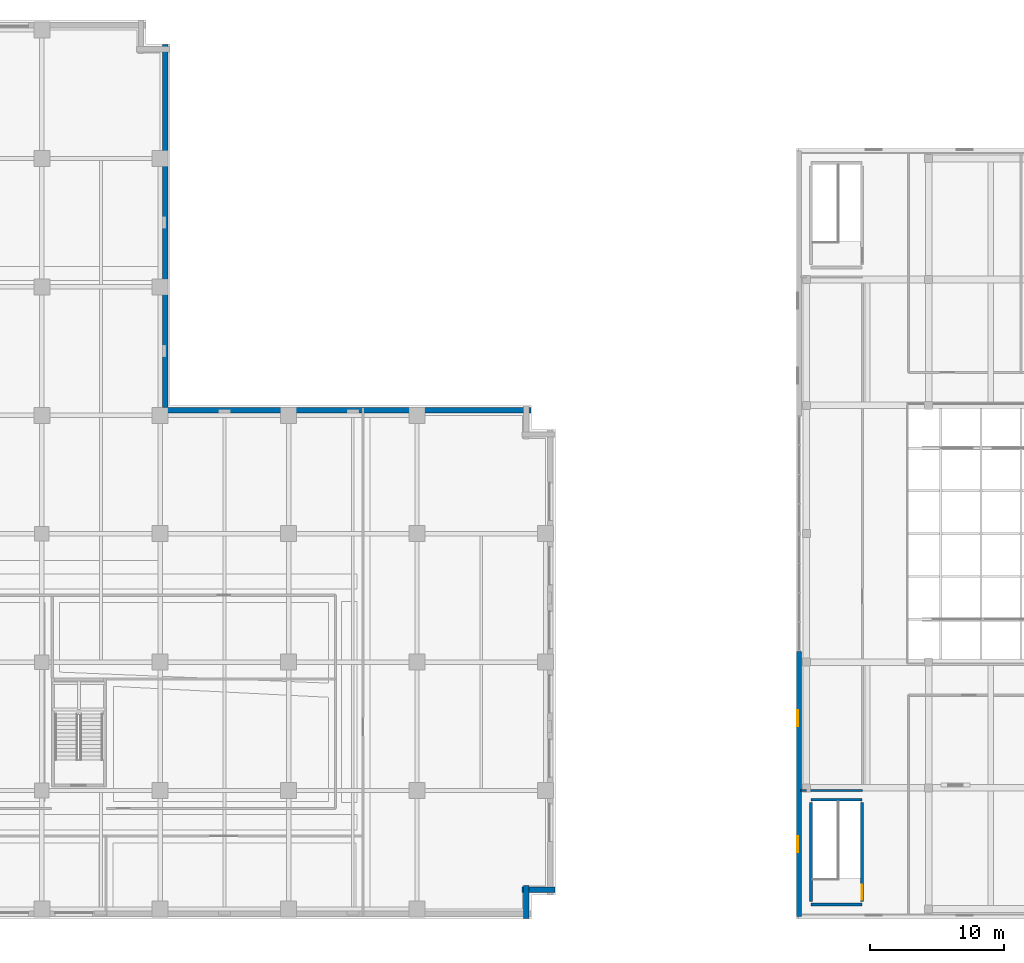
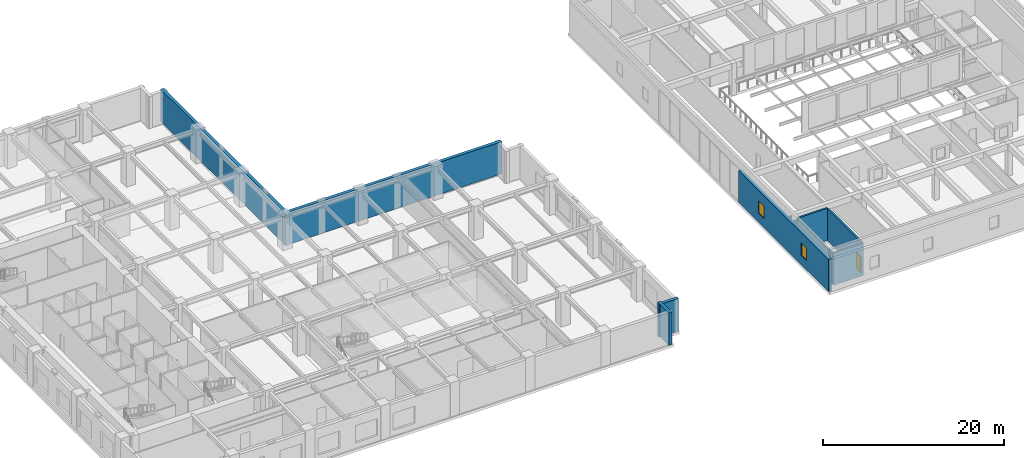
# One storey, part 8 of 21: 11 walls, 2 windows, 1 door, 3 openings.
"""IFC4 building model written with IfcOpenShell, lengths in metres."""

from ifc_helpers import new_model, si_unit, direction, frame, frame_2d, origin, place, context, subcontext, project, spatial, rectangle, extrude, material, layer, layer_set, type_object, element, fill, save


model = new_model("IFC4")

# Units and contexts
model_context = context("Model", 3, precision=1e-05, world=origin(), true_north=direction((0.0, 1.0)))
body_context = subcontext(model_context, "Body", "Model", "MODEL_VIEW")
ifc_project = project(units=[si_unit("LENGTHUNIT", "METRE"), si_unit("AREAUNIT", "SQUARE_METRE"), si_unit("VOLUMEUNIT", "CUBIC_METRE"), si_unit("PLANEANGLEUNIT", "RADIAN"), si_unit("MASSUNIT", "GRAM", prefix="KILO")], contexts=[model_context])

# Site, building, storey
site_placement = place(None, origin())
site = spatial("IfcSite", under=ifc_project, at=site_placement, CompositionType="ELEMENT")
building_placement = place(site_placement, origin())
building = spatial("IfcBuilding", under=site, at=building_placement, Name="Norrvale University Quadrangle", CompositionType="ELEMENT")
storey_placement = place(building_placement, frame((0.0, 0.0, 19.60009765625)))
storey = spatial("IfcBuildingStorey", under=building, at=storey_placement, Name="L04", CompositionType="ELEMENT", Elevation=19.60009765625)

# Walls
ifc_material_1 = material(Name="Standard Academic Gypsum Partition")
ifc_layer_1 = layer(ifc_material_1, 0.125, Name="Standard Academic Gypsum Partition")
ifc_layer_set_1 = layer_set([ifc_layer_1], Name="Standard Academic Gypsum Partition")
wall_type_1 = type_object("IfcWallType", Name="Wall Gypsum Academic 125", PredefinedType="PARTITIONING", material=ifc_layer_set_1)
wall_1_placement = place(storey_placement, frame((85.550048828125, 9.60009765625, 0.0), z_axis=(0.0, 0.0, 1.0), x_axis=(1.0, 0.0, 0.0)))
element("IfcWall", 1, at=wall_1_placement, inside=storey, type_object=wall_type_1, Name="Interior Partition WL-L04-LWS", PredefinedType="PARTITIONING", context=body_context, shape_type="SweptSolid", body=[
    extrude(rectangle(XDim=0.39990234375, YDim=0.125, at=frame_2d((0.199951171875, 0.0))), origin(), (0.0, 0.0, 1.0), 4.31982421875),
])
wall_2_placement = place(storey_placement, frame((85.949951171875, 9.60009765625, 0.0), z_axis=(0.0, 0.0, 1.0), x_axis=(1.0, 0.0, 0.0)))
element("IfcWall", 2, at=wall_2_placement, inside=storey, type_object=wall_type_1, Name="Interior Partition WL-L04-LWS-B2", PredefinedType="PARTITIONING", context=body_context, shape_type="SweptSolid", body=[
    extrude(rectangle(XDim=4.199951171875, YDim=0.125, at=frame_2d((2.10009765625, 0.0))), origin(), (0.0, 0.0, 1.0), 3.52001953125),
])

# Wall, openings, windows
ifc_material_2 = material(Name="Buff Norman Clay Brick Masonry", Category="masonry")
ifc_layer_2 = layer(ifc_material_2, 0.3798828125, Name="Buff Norman Clay Brick Masonry")
ifc_layer_set_2 = layer_set([ifc_layer_2], Name="Buff Norman Clay Brick Masonry")
wall_type_2 = type_object("IfcWallType", Name="Wall Lib Brick 380", PredefinedType="SOLIDWALL", material=ifc_layer_set_2)
wall_3_placement = place(storey_placement, frame((85.389892578125, 0.18994140625, 0.0), z_axis=(0.0, 0.0, 1.0), x_axis=(0.0, 1.0, 0.0)))
wall_3 = element("IfcWall", 3, at=wall_3_placement, inside=storey, type_object=wall_type_2, Name="Library West Brick Wall South L04", PredefinedType="SOLIDWALL", context=body_context, shape_type="SweptSolid", body=[
    extrude(rectangle(XDim=19.81005859375, YDim=0.3798828125, at=frame_2d((9.905029296875, 0.0))), origin(), (0.0, 0.0, 1.0), 4.31982421875),
])
opening_1_placement = place(wall_3_placement, frame((4.800048828125, 0.0, 1.25)))
opening_1 = element("IfcOpeningElement", 4, at=opening_1_placement, cuts=wall_3, Name="Opening W07", PredefinedType="OPENING", context=body_context, shape_type="SweptSolid", body=[
    extrude(rectangle(XDim=1.199951171875, YDim=1.64990234375, at=frame_2d((0.60009765625, 0.824951171875))), frame((0.0, 0.201904296875, 0.0), z_axis=(0.0, -1.0, 0.0), x_axis=(1.0, 0.0, 0.0)), (0.0, 0.0, 1.0), 0.40380859375),
])
opening_2_placement = place(wall_3_placement, frame((14.199951171875, 0.0, 1.25)))
opening_2 = element("IfcOpeningElement", 5, at=opening_2_placement, cuts=wall_3, Name="Opening W07", PredefinedType="OPENING", context=body_context, shape_type="SweptSolid", body=[
    extrude(rectangle(XDim=1.199951171875, YDim=1.64990234375, at=frame_2d((0.60009765625, 0.824951171875))), frame((0.0, 0.201904296875, 0.0), z_axis=(0.0, -1.0, 0.0), x_axis=(1.0, 0.0, 0.0)), (0.0, 0.0, 1.0), 0.40380859375),
])
ifc_material_3 = material(Name="UV-Filtered Triple Glazing", Category="glass")
window_type = type_object("IfcWindowType", Name="Window Library Stack 1200x1800", PartitioningType="SINGLE_PANEL", PredefinedType="WINDOW", material=ifc_material_3)
window_1_placement = place(opening_1_placement, origin())
window_1 = element("IfcWindow", 6, at=window_1_placement, inside=storey, type_object=window_type, Name="Window Library Stack 1200x1800 WIN-L04-LW1-1", OverallHeight=1.64990234375, OverallWidth=1.199951171875, PartitioningType="SINGLE_PANEL", PredefinedType="WINDOW", context=body_context, shape_type="SweptSolid", body=[
    extrude(rectangle(XDim=1.199951171875, YDim=1.64990234375, at=frame_2d((0.60009765625, 0.824951171875))), frame((0.0, 0.110107421875, 0.0), z_axis=(0.0, -1.0, 0.0), x_axis=(1.0, 0.0, 0.0)), (0.0, 0.0, 1.0), 0.06005859375),
])
fill(opening_1, window_1)
window_2_placement = place(opening_2_placement, origin())
window_2 = element("IfcWindow", 7, at=window_2_placement, inside=storey, type_object=window_type, Name="Window Library Stack 1200x1800 WIN-L04-LW1-2", OverallHeight=1.64990234375, OverallWidth=1.199951171875, PartitioningType="SINGLE_PANEL", PredefinedType="WINDOW", context=body_context, shape_type="SweptSolid", body=[
    extrude(rectangle(XDim=1.199951171875, YDim=1.64990234375, at=frame_2d((0.60009765625, 0.824951171875))), frame((0.0, 0.110107421875, 0.0), z_axis=(0.0, -1.0, 0.0), x_axis=(1.0, 0.0, 0.0)), (0.0, 0.0, 1.0), 0.06005859375),
])
fill(opening_2, window_2)

# Walls
ifc_material_4 = material(Name="Red Manganese Brick Masonry", Category="masonry")
ifc_layer_3 = layer(ifc_material_4, 0.39990234375, Name="Red Manganese Brick Masonry")
ifc_layer_set_3 = layer_set([ifc_layer_3], Name="Red Manganese Brick Masonry")
wall_type_3 = type_object("IfcWallType", Name="Wall Red Brick 400", PredefinedType="SOLIDWALL", material=ifc_layer_set_3)
for number, where, z_axis, x_axis, name in (
    (8, (65.02001953125, 0.0400390625, 0.0), (0.0, 0.0, 1.0), (0.0, 1.0, 0.0), "Exterior Brick Facade Wall L04-02.1"),
    (9, (64.679931640625, 2.179931640625, 0.0), (0.0, 0.0, 1.0), (1.0, 0.0, 0.0), "Exterior Brick Facade Wall L04-03.1"),
):
    element("IfcWall", number, at=place(storey_placement, frame(where, z_axis=z_axis, x_axis=x_axis)), inside=storey, type_object=wall_type_3, Name=name, PredefinedType="SOLIDWALL", context=body_context, shape_type="SweptSolid", body=[
        extrude(rectangle(XDim=2.47998046875, YDim=0.39990234375, at=frame_2d((1.239990234375, 0.0))), origin(), (0.0, 0.0, 1.0), 4.33984375),
    ])
for number, where, z_axis, x_axis, name in (
    (10, (65.360107421875, 38.02001953125, 0.0), (0.0, 0.0, 1.0), (-1.0, 0.0, 0.0), "Exterior Brick Facade Wall L04-07.1"),
    (11, (38.02001953125, 37.679931640625, 0.0), (0.0, 0.0, 1.0), (0.0, 1.0, 0.0), "Exterior Brick Facade Wall L04-08.1"),
):
    element("IfcWall", number, at=place(storey_placement, frame(where, z_axis=z_axis, x_axis=x_axis)), inside=storey, type_object=wall_type_3, Name=name, PredefinedType="SOLIDWALL", context=body_context, shape_type="SweptSolid", body=[
        extrude(rectangle(XDim=27.68017578125, YDim=0.39990234375, at=frame_2d((13.840087890625, 0.0))), origin(), (0.0, 0.0, 1.0), 4.33984375),
    ])
ifc_material_5 = material(Name="Concrete Blockwork 20 MPa Fire Shaft", Category="masonry")
ifc_layer_4 = layer(ifc_material_5, 0.219970703125, Name="Concrete Blockwork 20 MPa Fire Shaft")
ifc_layer_set_4 = layer_set([ifc_layer_4], Name="Concrete Blockwork 20 MPa Fire Shaft")
wall_type_4 = type_object("IfcWallType", Name="Wall Shaft 220", PredefinedType="SOLIDWALL", material=ifc_layer_set_4)
wall_4_placement = place(storey_placement, frame((86.2900390625, 1.31005859375, 0.0), z_axis=(0.0, 0.0, 1.0), x_axis=(0.0, 1.0, 0.0)))
element("IfcWall", 12, at=wall_4_placement, inside=storey, type_object=wall_type_4, Name="Library Stair ST-L2 West Wall L04", PredefinedType="SOLIDWALL", context=body_context, shape_type="SweptSolid", body=[
    extrude(rectangle(XDim=7.3798828125, YDim=0.219970703125, at=frame_2d((3.68994140625, 0.0))), origin(), (0.0, 0.0, 1.0), 4.31982421875),
])
for number, where, z_axis, x_axis, name in (
    (13, (86.2900390625, 1.090087890625, 0.0), (0.0, 0.0, 1.0), (1.0, 0.0, 0.0), "Library Stair ST-L2 South Wall L04"),
    (14, (86.2900390625, 8.909912109375, 0.0), (0.0, 0.0, 1.0), (1.0, 0.0, 0.0), "Library Stair ST-L2 North Wall L04"),
):
    element("IfcWall", number, at=place(storey_placement, frame(where, z_axis=z_axis, x_axis=x_axis)), inside=storey, type_object=wall_type_4, Name=name, PredefinedType="SOLIDWALL", context=body_context, shape_type="SweptSolid", body=[
        extrude(rectangle(XDim=3.820068359375, YDim=0.219970703125, at=frame_2d((1.91015625, 0.0))), origin(), (0.0, 0.0, 1.0), 4.31982421875),
    ])

# Wall, opening, door
wall_5_placement = place(storey_placement, frame((90.110107421875, 1.31005859375, 0.0), z_axis=(0.0, 0.0, 1.0), x_axis=(0.0, 1.0, 0.0)))
wall_5 = element("IfcWall", 15, at=wall_5_placement, inside=storey, type_object=wall_type_4, Name="Library Stair ST-L2 East Wall L04", PredefinedType="SOLIDWALL", context=body_context, shape_type="SweptSolid", body=[
    extrude(rectangle(XDim=7.3798828125, YDim=0.219970703125, at=frame_2d((3.68994140625, 0.0))), origin(), (0.0, 0.0, 1.0), 4.31982421875),
])
opening_3_placement = place(wall_5_placement, frame((0.139892578125, 0.0, 0.0)))
opening_3 = element("IfcOpeningElement", 16, at=opening_3_placement, cuts=wall_5, Name="Opening D02", PredefinedType="OPENING", context=body_context, shape_type="SweptSolid", body=[
    extrude(rectangle(XDim=1.10009765625, YDim=2.199951171875, at=frame_2d((0.550048828125, 1.10009765625))), frame((0.0, 0.1220703125, 0.0), z_axis=(0.0, -1.0, 0.0), x_axis=(1.0, 0.0, 0.0)), (0.0, 0.0, 1.0), 0.243896484375),
])
ifc_material_6 = material(Name="Hollow Steel 350W Fire Door", Category="steel")
door_type = type_object("IfcDoorType", Name="Door Stair Exit 1100x2200", OperationType="NOTDEFINED", PredefinedType="DOOR", material=ifc_material_6)
door_placement = place(opening_3_placement, origin())
door = element("IfcDoor", 17, at=door_placement, inside=storey, type_object=door_type, Name="Door Stair Exit 1100x2200 DR-L04-ST-L2", OperationType="SINGLE_SWING_RIGHT", OverallHeight=2.199951171875, OverallWidth=1.10009765625, PredefinedType="DOOR", context=body_context, shape_type="SweptSolid", body=[
    extrude(rectangle(XDim=1.10009765625, YDim=2.199951171875, at=frame_2d((0.550048828125, 1.10009765625))), frame((0.0, 0.02490234375, 0.0), z_axis=(0.0, -1.0, 0.0), x_axis=(1.0, 0.0, 0.0)), (0.0, 0.0, 1.0), 0.050048828125),
])
fill(opening_3, door)

save(model, "model.ifc")
